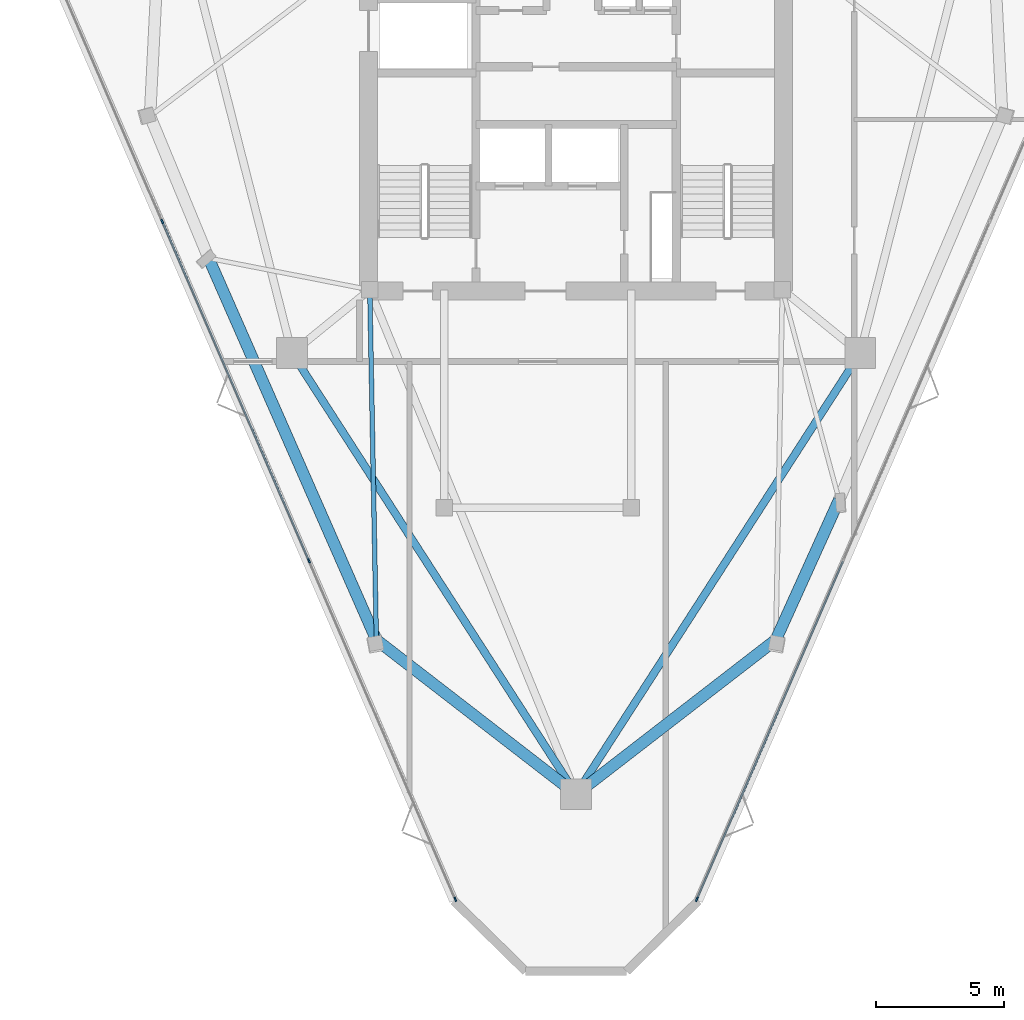
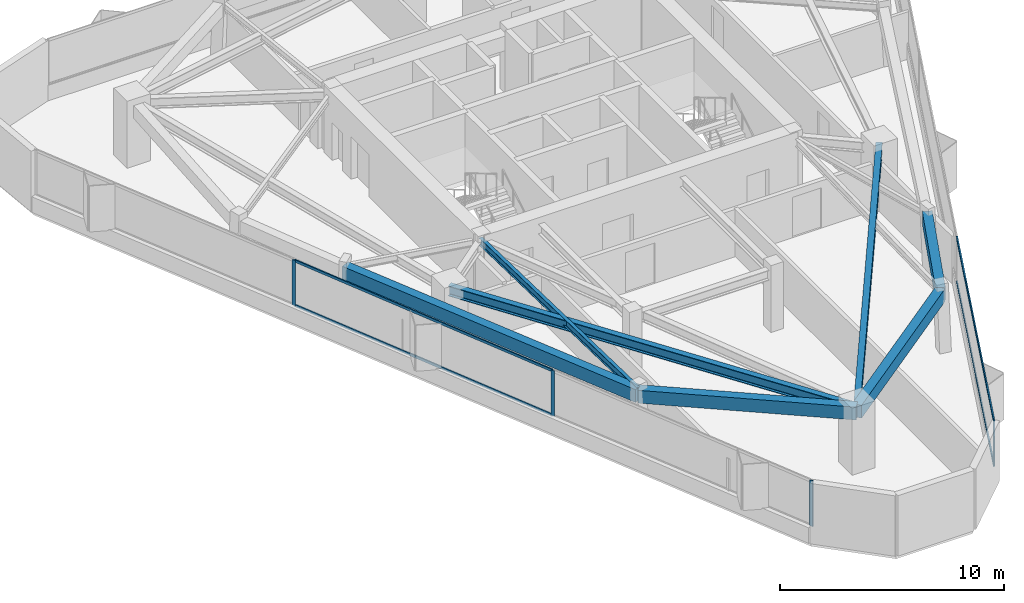
# One storey, part 2 of 11: 8 members, 7 beams, 2 elements without a shape of their own.
"""IFC4 building model written with IfcOpenShell, lengths in metres."""

from ifc_helpers import new_model, si_unit, direction, frame, origin, origin_2d, place, context, subcontext, project, spatial, rectangle, i_section, extrude, material, layer, layer_set, material_profile, profile_set, type_object, element, aggregate, save


model = new_model("IFC4")

# Units and contexts
model_context = context("Model", 3, precision=1e-05, world=origin(), true_north=direction((0.0, 1.0)))
body_context = subcontext(model_context, "Body", "Model", "MODEL_VIEW")
ifc_project = project(units=[si_unit("LENGTHUNIT", "METRE"), si_unit("AREAUNIT", "SQUARE_METRE"), si_unit("VOLUMEUNIT", "CUBIC_METRE"), si_unit("PLANEANGLEUNIT", "RADIAN"), si_unit("MASSUNIT", "GRAM", prefix="KILO")], contexts=[model_context])

# Site, building, storey
site_placement = place(None, origin())
site = spatial("IfcSite", under=ifc_project, at=site_placement, CompositionType="ELEMENT")
building_placement = place(site_placement, origin())
building = spatial("IfcBuilding", under=site, at=building_placement, Name="Talyreon Biosciences Tower", CompositionType="ELEMENT")
storey_placement = place(building_placement, frame((0.0, 0.0, 271.75)))
storey = spatial("IfcBuildingStorey", under=building, at=storey_placement, Name="L72", CompositionType="ELEMENT", Elevation=271.75)

# Curtain wall, members
ifc_material_1 = material(Name="Thermally broken aluminium and low-E glazing", Category="aluminium")
ifc_layer = layer(ifc_material_1, 0.175048828125)
ifc_layer_set = layer_set([ifc_layer], Name="Thermally broken aluminium and low-E glazing")
curtain_wall_type = type_object("IfcCurtainWallType", Name="CurtainWall_Zone5CompLab", PredefinedType="NOTDEFINED", material=ifc_layer_set)
curtain_wall_1_placement = place(storey_placement, origin())
curtain_wall_1 = element("IfcCurtainWall", 1, at=curtain_wall_1_placement, inside=storey, type_object=curtain_wall_type, Name="L72 Unitised Curtain Wall FCW-L72-00", PredefinedType="NOTDEFINED")
ifc_material_2 = material(Name="Anodised thermally broken aluminium", Category="aluminium")
ifc_material_profile_1 = material_profile(ifc_material_2, rectangle(XDim=0.06494140625, YDim=0.179931640625, at=origin_2d()), Name="ALUM MULLION 65x180")
ifc_profile_set_1 = profile_set([ifc_material_profile_1], Name="Anodised thermally broken aluminium")
member_type_1 = type_object("IfcMemberType", Name="CWMullion_65x180", PredefinedType="MULLION", material=ifc_profile_set_1)
member_1_placement = place(storey_placement, frame((61.28759765625, 37.566162109375, 0.81005859375), z_axis=(0.0, 0.0, 1.0), x_axis=(-0.917867616895, -0.396886681377, 0.0)))
member_1 = element("IfcMember", 2, at=member_1_placement, type_object=member_type_1, Name="CW6 mullion 1", PredefinedType="MULLION", context=body_context, shape_type="SweptSolid", body=[
    extrude(rectangle(XDim=0.06494140625, YDim=0.179931640625, at=origin_2d()), origin(), (0.0, 0.0, 1.0), 2.489990234375),
])
member_2_placement = place(storey_placement, frame((55.576171875, 50.77490234375, 0.81005859375), z_axis=(0.0, 0.0, 1.0), x_axis=(-0.917867616895, -0.396886681377, 0.0)))
member_2 = element("IfcMember", 3, at=member_2_placement, type_object=member_type_1, Name="CW6 mullion 2", PredefinedType="MULLION", context=body_context, shape_type="SweptSolid", body=[
    extrude(rectangle(XDim=0.06494140625, YDim=0.179931640625, at=origin_2d()), origin(), (0.0, 0.0, 1.0), 2.489990234375),
])
member_3_placement = place(storey_placement, frame((49.851806640625, 64.013427734375, 0.81005859375), z_axis=(0.0, 0.0, 1.0), x_axis=(-0.917867616895, -0.396886681377, 0.0)))
member_3 = element("IfcMember", 4, at=member_3_placement, type_object=member_type_1, Name="CW6 mullion 3", PredefinedType="MULLION", context=body_context, shape_type="SweptSolid", body=[
    extrude(rectangle(XDim=0.06494140625, YDim=0.179931640625, at=origin_2d()), origin(), (0.0, 0.0, 1.0), 2.489990234375),
])

# Curtain wall, member
curtain_wall_2_placement = place(storey_placement, origin())
curtain_wall_2 = element("IfcCurtainWall", 5, at=curtain_wall_2_placement, inside=storey, type_object=curtain_wall_type, Name="L72 Unitised Curtain Wall FCW-L72-08", PredefinedType="NOTDEFINED")
member_4_placement = place(storey_placement, frame((70.71240234375, 37.566162109375, 0.81005859375), z_axis=(0.0, 0.0, 1.0), x_axis=(0.917867616895, -0.396886681377, 0.0)))
member_4 = element("IfcMember", 6, at=member_4_placement, type_object=member_type_1, Name="CW6 mullion 4", PredefinedType="MULLION", context=body_context, shape_type="SweptSolid", body=[
    extrude(rectangle(XDim=0.06494140625, YDim=0.179931640625, at=origin_2d()), origin(), (0.0, 0.0, 1.0), 2.489990234375),
])

# Member
ifc_material_profile_2 = material_profile(ifc_material_2, rectangle(XDim=0.06494140625, YDim=0.139892578125, at=origin_2d()), Name="ALUM TRANSOM 65x140")
ifc_profile_set_2 = profile_set([ifc_material_profile_2], Name="Anodised thermally broken aluminium")
member_type_2 = type_object("IfcMemberType", Name="CWTransom_65x140", PredefinedType="USERDEFINED", material=ifc_profile_set_2)
member_5_placement = place(storey_placement, frame((55.563232421875, 50.8046875, 0.842529296875), z_axis=(-0.396880564948, 0.91787026162, 0.0), x_axis=(-0.91787026162, -0.396880564948, 0.0)))
member_5 = element("IfcMember", 7, at=member_5_placement, type_object=member_type_2, Name="CW6 transom 2.1", ObjectType="TRANSOM", PredefinedType="USERDEFINED", context=body_context, shape_type="SweptSolid", body=[
    extrude(rectangle(XDim=0.06494140625, YDim=0.139892578125, at=origin_2d()), origin(), (0.0, 0.0, 1.0), 14.358154296875),
])

member_6_placement = place(storey_placement, frame((55.563232421875, 50.8046875, 3.267578125), z_axis=(-0.396880564948, 0.91787026162, 0.0), x_axis=(-0.91787026162, -0.396880564948, 0.0)))
member_6 = element("IfcMember", 8, at=member_6_placement, type_object=member_type_2, Name="CW6 transom 2.2", ObjectType="TRANSOM", PredefinedType="USERDEFINED", context=body_context, shape_type="SweptSolid", body=[
    extrude(rectangle(XDim=0.06494140625, YDim=0.139892578125, at=origin_2d()), origin(), (0.0, 0.0, 1.0), 14.358154296875),
])

aggregate(curtain_wall_1, [member_1, member_2, member_3, member_5, member_6])

member_7_placement = place(storey_placement, frame((76.410888671875, 50.7451171875, 0.842529296875), z_axis=(-0.396877003236, -0.917871801671, 0.0), x_axis=(0.917871801671, -0.396877003236, 0.0)))
member_7 = element("IfcMember", 9, at=member_7_placement, type_object=member_type_2, Name="CW6 transom 3.1", ObjectType="TRANSOM", PredefinedType="USERDEFINED", context=body_context, shape_type="SweptSolid", body=[
    extrude(rectangle(XDim=0.06494140625, YDim=0.139892578125, at=origin_2d()), origin(), (0.0, 0.0, 1.0), 14.32568359375),
])

member_8_placement = place(storey_placement, frame((76.410888671875, 50.7451171875, 3.267578125), z_axis=(-0.396877003236, -0.917871801671, 0.0), x_axis=(0.917871801671, -0.396877003236, 0.0)))
member_8 = element("IfcMember", 10, at=member_8_placement, type_object=member_type_2, Name="CW6 transom 3.2", ObjectType="TRANSOM", PredefinedType="USERDEFINED", context=body_context, shape_type="SweptSolid", body=[
    extrude(rectangle(XDim=0.06494140625, YDim=0.139892578125, at=origin_2d()), origin(), (0.0, 0.0, 1.0), 14.32568359375),
])

aggregate(curtain_wall_2, [member_4, member_7, member_8])

# Beams
ifc_material_3 = material(Name="Precast concrete C45/55", Category="concrete")
ifc_material_profile_3 = material_profile(ifc_material_3, rectangle(XDim=0.449951171875, YDim=0.699951171875, at=origin_2d()), Name="RCB 450x700")
ifc_profile_set_3 = profile_set([ifc_material_profile_3], Name="Precast concrete C45/55")
beam_type_1 = type_object("IfcBeamType", Name="ExpressedSpandrel_450x700", PredefinedType="SPANDREL", material=ifc_profile_set_3)
beam_1_placement = place(storey_placement, frame((66.0, 41.6669921875, 2.949951171875), z_axis=(0.79117162092, 0.611594200635, 0.0), x_axis=(-0.611594200635, 0.79117162092, 0.0)))
element("IfcBeam", 11, at=beam_1_placement, inside=storey, type_object=beam_type_1, Name="L72 Expressed Horizontal Concrete Spandrel 01", PredefinedType="SPANDREL", context=body_context, shape_type="SweptSolid", body=[
    extrude(rectangle(XDim=0.449951171875, YDim=0.699951171875, at=origin_2d()), origin(), (0.0, 0.0, 1.0), 9.85107421875),
])
beam_2_placement = place(storey_placement, frame((73.7939453125, 47.69189453125, 2.949951171875), z_axis=(0.412006851175, 0.911180747483, 0.0), x_axis=(-0.911180747483, 0.412006851175, 0.0)))
element("IfcBeam", 12, at=beam_2_placement, inside=storey, type_object=beam_type_1, Name="L72 Expressed Horizontal Concrete Spandrel 02", PredefinedType="SPANDREL", context=body_context, shape_type="SweptSolid", body=[
    extrude(rectangle(XDim=0.449951171875, YDim=0.699951171875, at=origin_2d()), origin(), (0.0, 0.0, 1.0), 5.993896484375),
])
beam_3_placement = place(storey_placement, frame((51.66015625, 62.583740234375, 2.949951171875), z_axis=(0.402403113008, -0.915462579597, 0.0), x_axis=(0.915462579597, 0.402403113008, 0.0)))
element("IfcBeam", 13, at=beam_3_placement, inside=storey, type_object=beam_type_1, Name="L72 Expressed Horizontal Concrete Spandrel 11", PredefinedType="SPANDREL", context=body_context, shape_type="SweptSolid", body=[
    extrude(rectangle(XDim=0.449951171875, YDim=0.699951171875, at=origin_2d()), origin(), (0.0, 0.0, 1.0), 16.26708984375),
])
beam_4_placement = place(storey_placement, frame((58.2060546875, 47.69189453125, 2.949951171875), z_axis=(0.79117162092, -0.611594200635, 0.0), x_axis=(0.611594200635, 0.79117162092, 0.0)))
element("IfcBeam", 14, at=beam_4_placement, inside=storey, type_object=beam_type_1, Name="L72 Expressed Horizontal Concrete Spandrel 12", PredefinedType="SPANDREL", context=body_context, shape_type="SweptSolid", body=[
    extrude(rectangle(XDim=0.449951171875, YDim=0.699951171875, at=origin_2d()), origin(), (0.0, 0.0, 1.0), 9.85107421875),
])
ifc_material_4 = material(Name="Steel SM355", Category="steel")
ifc_material_profile_4 = material_profile(ifc_material_4, i_section(OverallWidth=0.300048828125, OverallDepth=0.550048828125, WebThickness=0.014892578125, FlangeThickness=0.029052734375, FilletRadius=0.027099609375, at=origin_2d()), Name="HE550B")
ifc_profile_set_4 = profile_set([ifc_material_profile_4], Name="Steel SM355")
beam_type_2 = type_object("IfcBeamType", Name="SteelBeam_HE550B", PredefinedType="BEAM", material=ifc_profile_set_4)
for number, where, z_axis, x_axis, name in (
    (15, (66.0, 41.6669921875, 3.02490234375), (0.541463723609, 0.840724114092, 0.0), (-0.840724114092, 0.541463723609, 0.0), "L72 Mega-Ring Girder 1"),
    (16, (54.913818359375, 58.88037109375, 3.02490234375), (0.541463723609, -0.840724114092, 0.0), (0.840724114092, 0.541463723609, 0.0), "L72 Mega-Ring Girder 6"),
):
    element("IfcBeam", number, at=place(storey_placement, frame(where, z_axis=z_axis, x_axis=x_axis)), inside=storey, type_object=beam_type_2, Name=name, PredefinedType="BEAM", context=body_context, shape_type="SweptSolid", body=[
        extrude(i_section(OverallWidth=0.300048828125, OverallDepth=0.550048828125, WebThickness=0.014892578125, FlangeThickness=0.029052734375, FilletRadius=0.027099609375, at=origin_2d()), origin(), (0.0, 0.0, 1.0), 20.474365234375),
    ])
ifc_material_profile_5 = material_profile(ifc_material_4, i_section(OverallWidth=0.179931640625, OverallDepth=0.39990234375, WebThickness=0.008544921875, FlangeThickness=0.013427734375, FilletRadius=0.02099609375, at=origin_2d()), Name="IPE400")
ifc_profile_set_5 = profile_set([ifc_material_profile_5], Name="Steel SM355")
beam_type_3 = type_object("IfcBeamType", Name="SteelJoist_IPE400", PredefinedType="JOIST", material=ifc_profile_set_5)
beam_5_placement = place(storey_placement, frame((57.949951171875, 61.35009765625, 3.10009765625), z_axis=(0.01874759825, -0.999824248336, 0.0), x_axis=(0.999824248336, 0.01874759825, 0.0)))
element("IfcBeam", 17, at=beam_5_placement, inside=storey, type_object=beam_type_3, Name="L72 Radial Composite Floor Joist PC-SW2", PredefinedType="JOIST", context=body_context, shape_type="SweptSolid", body=[
    extrude(i_section(OverallWidth=0.179931640625, OverallDepth=0.39990234375, WebThickness=0.008544921875, FlangeThickness=0.013427734375, FilletRadius=0.02099609375, at=origin_2d()), origin(), (0.0, 0.0, 1.0), 13.66064453125),
])

save(model, "model.ifc")
